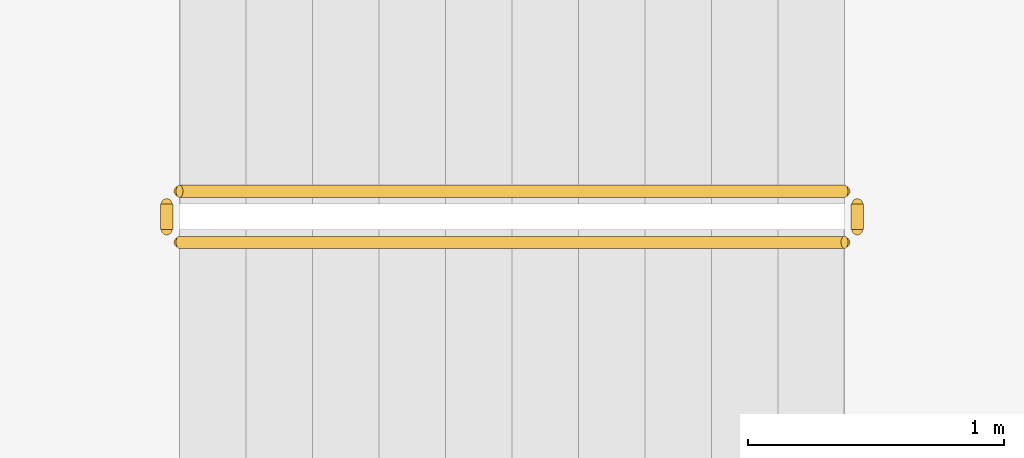
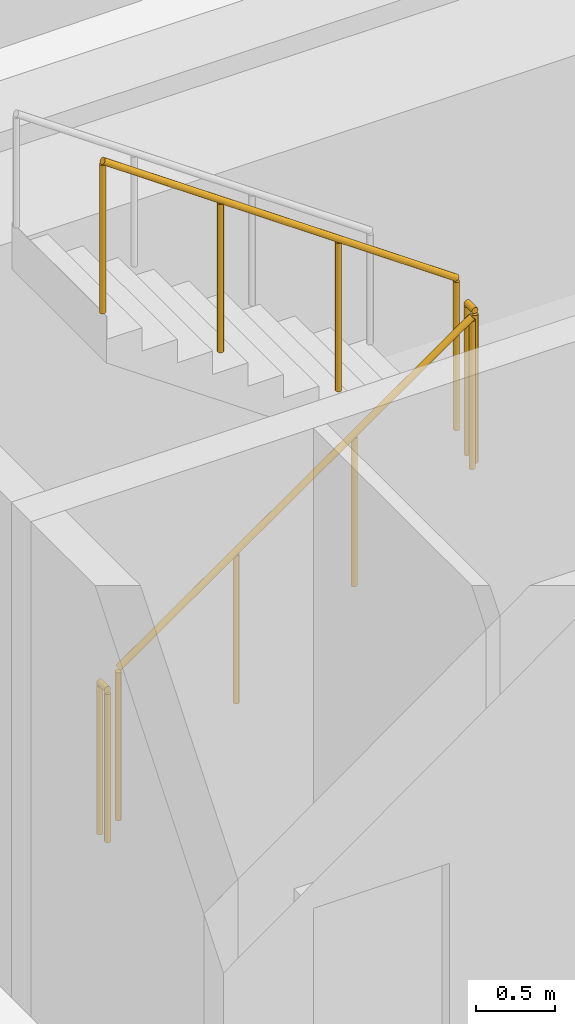
# One storey, part 21 of 25: 4 railings.
"""IFC4 building model written with IfcOpenShell, lengths in metres."""

from ifc_helpers import new_model, si_unit, direction, frame, origin, origin_2d, place, context, subcontext, project, spatial, circle, extrude, material, type_object, element, save


model = new_model("IFC4")

# Units and contexts
model_context = context("Model", 3, precision=1e-05, world=origin(), true_north=direction((0.0, 1.0)))
body_context = subcontext(model_context, "Body", "Model", "MODEL_VIEW")
ifc_project = project(units=[si_unit("LENGTHUNIT", "METRE"), si_unit("AREAUNIT", "SQUARE_METRE"), si_unit("VOLUMEUNIT", "CUBIC_METRE"), si_unit("PLANEANGLEUNIT", "RADIAN"), si_unit("MASSUNIT", "GRAM", prefix="KILO")], contexts=[model_context])

# Site, building, storey
site_placement = place(None, origin())
site = spatial("IfcSite", under=ifc_project, at=site_placement, CompositionType="ELEMENT")
building_placement = place(site_placement, origin())
building = spatial("IfcBuilding", under=site, at=building_placement, Name="Sahrelin Media Tower", CompositionType="ELEMENT")
storey_placement = place(building_placement, frame((0.0, 0.0, 165.60009765625)))
storey = spatial("IfcBuildingStorey", under=building, at=storey_placement, Name="L34", CompositionType="ELEMENT", Elevation=165.60009765625)

# Railings
ifc_material = material(Name="Steel S355", Category="steel")
railing_type = type_object("IfcRailingType", Name="Stair guard 1200", PredefinedType="GUARDRAIL", material=ifc_material)
railing_1_placement = place(storey_placement, frame((-7.675048828125, 5.25, 0.181640625)))
element("IfcRailing", 1, at=railing_1_placement, inside=storey, type_object=railing_type, Name="L34 ST1 stair guard 1", PredefinedType="GUARDRAIL", context=body_context, shape_type="SweptSolid", body=[
    extrude(circle(Radius=0.02392578125, at=origin_2d()), frame((0.0, 0.0, 1.17578125), z_axis=(0.819484887739, 0.0, 0.573100792852), x_axis=(0.0, 1.0, 0.0)), (0.0, 0.0, 1.0), 3.1728515625),
    extrude(circle(Radius=0.02099609375, at=origin_2d()), origin(), (0.0, 0.0, 1.0), 1.15185546875),
    extrude(circle(Radius=0.02099609375, at=origin_2d()), frame((0.86669921875, 0.0, 0.606201171875)), (0.0, 0.0, 1.0), 1.15185546875),
    extrude(circle(Radius=0.02099609375, at=origin_2d()), frame((1.7333984375, 0.0, 1.212158203125)), (0.0, 0.0, 1.0), 1.15185546875),
    extrude(circle(Radius=0.02099609375, at=origin_2d()), frame((2.60009765625, 0.0, 1.818359375)), (0.0, 0.0, 1.0), 1.15185546875),
])
railing_2_placement = place(storey_placement, frame((-5.02490234375, 5.300048828125, 2.0)))
element("IfcRailing", 2, at=railing_2_placement, inside=storey, type_object=railing_type, Name="L34 ST1 stair guard 2", PredefinedType="GUARDRAIL", context=body_context, shape_type="SweptSolid", body=[
    extrude(circle(Radius=0.02392578125, at=origin_2d()), frame((0.0, 0.0, 1.17578125), z_axis=(0.0, 1.0, 0.0), x_axis=(-1.0, 0.0, 0.0)), (0.0, 0.0, 1.0), 0.099853515625),
    extrude(circle(Radius=0.02099609375, at=origin_2d()), origin(), (0.0, 0.0, 1.0), 1.15185546875),
    extrude(circle(Radius=0.02099609375, at=origin_2d()), frame((0.0, 0.099853515625, 0.0)), (0.0, 0.0, 1.0), 1.15185546875),
])
railing_3_placement = place(storey_placement, frame((-5.074951171875, 5.449951171875, 2.181640625)))
element("IfcRailing", 3, at=railing_3_placement, inside=storey, type_object=railing_type, Name="L34 ST1 stair guard 3", PredefinedType="GUARDRAIL", context=body_context, shape_type="SweptSolid", body=[
    extrude(circle(Radius=0.02392578125, at=origin_2d()), frame((0.0, 0.0, 1.17578125), z_axis=(-0.819484887739, 0.0, 0.573100792852), x_axis=(0.0, -1.0, 0.0)), (0.0, 0.0, 1.0), 3.1728515625),
    extrude(circle(Radius=0.02099609375, at=origin_2d()), origin(), (0.0, 0.0, 1.0), 1.15185546875),
    extrude(circle(Radius=0.02099609375, at=origin_2d()), frame((-0.86669921875, 0.0, 0.606201171875)), (0.0, 0.0, 1.0), 1.15185546875),
    extrude(circle(Radius=0.02099609375, at=origin_2d()), frame((-1.7333984375, 0.0, 1.212158203125)), (0.0, 0.0, 1.0), 1.15185546875),
    extrude(circle(Radius=0.02099609375, at=origin_2d()), frame((-2.60009765625, 0.0, 1.818359375)), (0.0, 0.0, 1.0), 1.15185546875),
])
railing_4_placement = place(storey_placement, frame((-7.72509765625, 5.300048828125, 0.0)))
element("IfcRailing", 4, at=railing_4_placement, inside=storey, type_object=railing_type, Name="L34 ST1 stair guard 4", PredefinedType="GUARDRAIL", context=body_context, shape_type="SweptSolid", body=[
    extrude(circle(Radius=0.02392578125, at=origin_2d()), frame((0.0, 0.0, 1.17578125), z_axis=(0.0, 1.0, 0.0), x_axis=(-1.0, 0.0, 0.0)), (0.0, 0.0, 1.0), 0.099853515625),
    extrude(circle(Radius=0.02099609375, at=origin_2d()), origin(), (0.0, 0.0, 1.0), 1.15185546875),
    extrude(circle(Radius=0.02099609375, at=origin_2d()), frame((0.0, 0.099853515625, 0.0)), (0.0, 0.0, 1.0), 1.15185546875),
])

save(model, "model.ifc")
